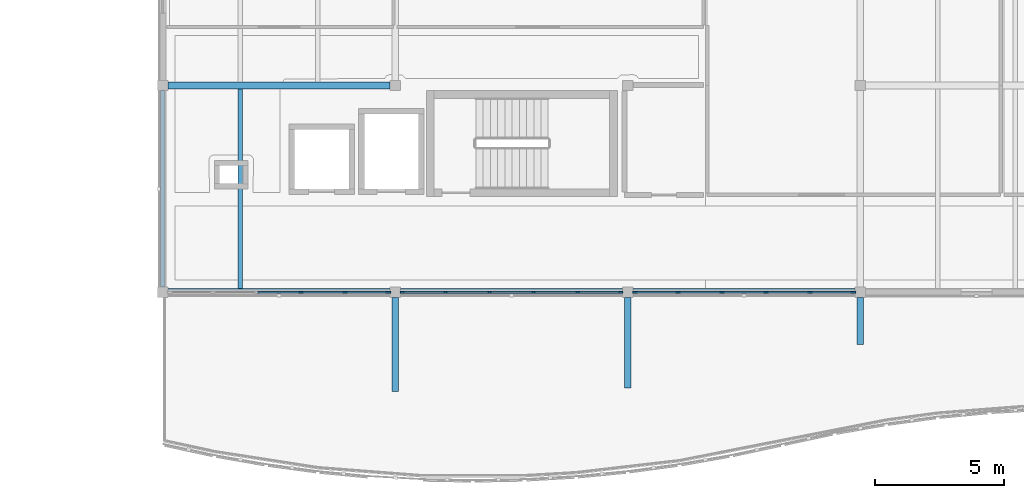
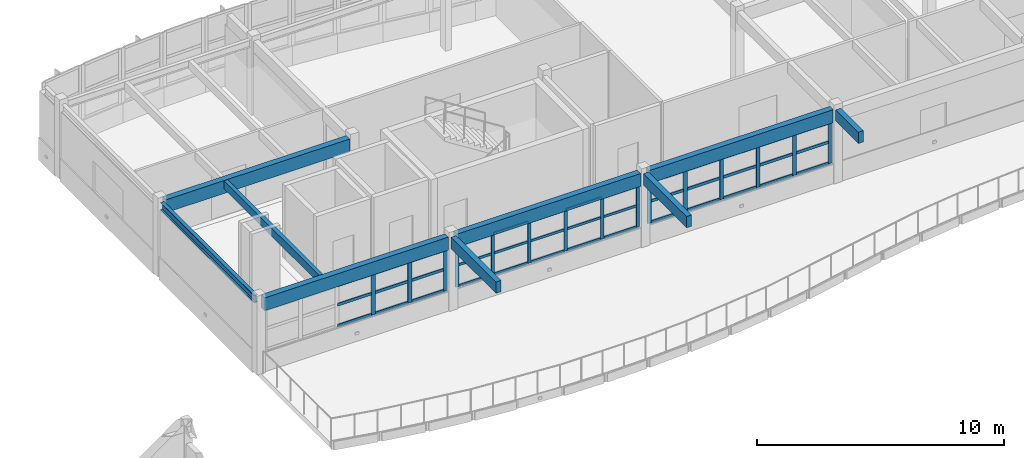
# One storey, part 9 of 52: 54 members, 9 beams, 3 elements without a shape of their own.
"""IFC4 building model written with IfcOpenShell, lengths in metres."""

from ifc_helpers import new_model, si_unit, direction, frame, origin, origin_2d, place, context, subcontext, project, spatial, rectangle, i_section, extrude, material, layer, layer_set, material_profile, profile_set, type_object, element, aggregate, save


model = new_model("IFC4")

# Units and contexts
model_context = context("Model", 3, precision=1e-05, world=origin(), true_north=direction((0.0, 1.0)))
body_context = subcontext(model_context, "Body", "Model", "MODEL_VIEW")
ifc_project = project(units=[si_unit("LENGTHUNIT", "METRE"), si_unit("AREAUNIT", "SQUARE_METRE"), si_unit("VOLUMEUNIT", "CUBIC_METRE"), si_unit("PLANEANGLEUNIT", "RADIAN"), si_unit("MASSUNIT", "GRAM", prefix="KILO")], contexts=[model_context])

# Site, building, storey
site_placement = place(None, origin())
site = spatial("IfcSite", under=ifc_project, at=site_placement, CompositionType="ELEMENT")
building_placement = place(site_placement, origin())
building = spatial("IfcBuilding", under=site, at=building_placement, Name="Tonlespit Floodbar School", CompositionType="ELEMENT")
storey_placement = place(building_placement, frame((0.0, 0.0, 12.300048828125)))
storey = spatial("IfcBuildingStorey", under=building, at=storey_placement, Name="L03", CompositionType="ELEMENT", Elevation=12.300048828125)

# Beams
ifc_material_1 = material(Name="Glulam GL28h", Category="wood")
ifc_material_profile_1 = material_profile(ifc_material_1, rectangle(XDim=0.239990234375, YDim=0.56005859375, at=origin_2d()), Name="GL 240x560")
ifc_profile_set_1 = profile_set([ifc_material_profile_1], Name="Glulam GL28h")
beam_type_1 = type_object("IfcBeamType", Name="Beam_GL_240x560", PredefinedType="BEAM", material=ifc_profile_set_1)
beam_1_placement = place(storey_placement, frame((53.0, 103.800048828125, 3.367919921875), z_axis=(0.0, -1.0, 0.0), x_axis=(1.0, 0.0, 0.0)))
element("IfcBeam", 1, at=beam_1_placement, inside=storey, type_object=beam_type_1, Name="L03 V1 curved gallery cantilever rib", PredefinedType="BEAM", context=body_context, shape_type="SweptSolid", body=[
    extrude(rectangle(XDim=0.239990234375, YDim=0.56005859375, at=origin_2d()), origin(), (0.0, 0.0, 1.0), 3.650146484375),
])
beam_2_placement = place(storey_placement, frame((62.0, 103.800048828125, 3.367919921875), z_axis=(0.0, -1.0, 0.0), x_axis=(1.0, 0.0, 0.0)))
element("IfcBeam", 2, at=beam_2_placement, inside=storey, type_object=beam_type_1, Name="L03 V1 curved gallery cantilever rib", PredefinedType="BEAM", context=body_context, shape_type="SweptSolid", body=[
    extrude(rectangle(XDim=0.239990234375, YDim=0.56005859375, at=origin_2d()), origin(), (0.0, 0.0, 1.0), 3.50634765625),
])
beam_3_placement = place(storey_placement, frame((71.0, 103.800048828125, 3.367919921875), z_axis=(0.0, -1.0, 0.0), x_axis=(1.0, 0.0, 0.0)))
element("IfcBeam", 3, at=beam_3_placement, inside=storey, type_object=beam_type_1, Name="L03 V1 curved gallery cantilever rib", PredefinedType="BEAM", context=body_context, shape_type="SweptSolid", body=[
    extrude(rectangle(XDim=0.239990234375, YDim=0.56005859375, at=origin_2d()), origin(), (0.0, 0.0, 1.0), 1.831298828125),
])
ifc_material_profile_2 = material_profile(ifc_material_1, rectangle(XDim=0.280029296875, YDim=0.639892578125, at=origin_2d()), Name="GL 280x640")
ifc_profile_set_2 = profile_set([ifc_material_profile_2], Name="Glulam GL28h")
beam_type_2 = type_object("IfcBeamType", Name="Beam_GL_280x640", PredefinedType="BEAM", material=ifc_profile_set_2)
for number, where, z_axis, x_axis, name in (
    (4, (44.199951171875, 104.0, 3.327880859375), (1.0, 0.0, 0.0), (0.0, 1.0, 0.0), "L03 girder 1167"),
    (5, (53.199951171875, 104.0, 3.327880859375), (1.0, 0.0, 0.0), (0.0, 1.0, 0.0), "L03 girder 1168"),
    (6, (62.199951171875, 104.0, 3.327880859375), (1.0, 0.0, 0.0), (0.0, 1.0, 0.0), "L03 girder 1169"),
    (7, (44.199951171875, 112.0, 3.329833984375), (1.0, 0.0, 0.0), (0.0, 1.0, 0.0), "L03 girder 1181"),
):
    element("IfcBeam", number, at=place(storey_placement, frame(where, z_axis=z_axis, x_axis=x_axis)), inside=storey, type_object=beam_type_2, Name=name, PredefinedType="BEAM", context=body_context, shape_type="SweptSolid", body=[
        extrude(rectangle(XDim=0.280029296875, YDim=0.639892578125, at=origin_2d()), origin(), (0.0, 0.0, 1.0), 8.60009765625),
    ])

# Curtain wall, members
ifc_material_2 = material(Name="Anodised Aluminium", Category="aluminium")
ifc_layer = layer(ifc_material_2, 0.159912109375)
ifc_layer_set = layer_set([ifc_layer], Name="Anodised Aluminium")
curtain_wall_type = type_object("IfcCurtainWallType", Name="CurtainWall_8500x2050", PredefinedType="NOTDEFINED", material=ifc_layer_set)
curtain_wall_1_placement = place(storey_placement, origin())
curtain_wall_1 = element("IfcCurtainWall", 8, at=curtain_wall_1_placement, inside=storey, type_object=curtain_wall_type, Name="L03 unitised curtain wall 0164", PredefinedType="NOTDEFINED")
ifc_material_profile_3 = material_profile(ifc_material_2, rectangle(XDim=0.06494140625, YDim=0.14990234375, at=origin_2d()), Name="ALU M65x150")
ifc_profile_set_3 = profile_set([ifc_material_profile_3], Name="Anodised Aluminium")
member_type_1 = type_object("IfcMemberType", Name="CW_Mullion_65x150", PredefinedType="MULLION", material=ifc_profile_set_3)
member_1_placement = place(storey_placement, frame((61.7275390625, 104.0, 0.949951171875), z_axis=(0.0, 0.0, 1.0), x_axis=(0.0, -1.0, 0.0)))
member_1 = element("IfcMember", 9, at=member_1_placement, type_object=member_type_1, Name="CW-07 mullion 1", PredefinedType="MULLION", context=body_context, shape_type="SweptSolid", body=[
    extrude(rectangle(XDim=0.06494140625, YDim=0.14990234375, at=origin_2d()), origin(), (0.0, 0.0, 1.0), 2.05810546875),
])
member_2_placement = place(storey_placement, frame((60.055908203125, 104.0, 0.949951171875), z_axis=(0.0, 0.0, 1.0), x_axis=(0.0, -1.0, 0.0)))
member_2 = element("IfcMember", 10, at=member_2_placement, type_object=member_type_1, Name="CW-07 mullion 2", PredefinedType="MULLION", context=body_context, shape_type="SweptSolid", body=[
    extrude(rectangle(XDim=0.06494140625, YDim=0.14990234375, at=origin_2d()), origin(), (0.0, 0.0, 1.0), 2.05810546875),
])
member_3_placement = place(storey_placement, frame((58.35205078125, 104.0, 0.949951171875), z_axis=(0.0, 0.0, 1.0), x_axis=(0.0, -1.0, 0.0)))
member_3 = element("IfcMember", 11, at=member_3_placement, type_object=member_type_1, Name="CW-07 mullion 3", PredefinedType="MULLION", context=body_context, shape_type="SweptSolid", body=[
    extrude(rectangle(XDim=0.06494140625, YDim=0.14990234375, at=origin_2d()), origin(), (0.0, 0.0, 1.0), 2.05810546875),
])
member_4_placement = place(storey_placement, frame((56.64794921875, 104.0, 0.949951171875), z_axis=(0.0, 0.0, 1.0), x_axis=(0.0, -1.0, 0.0)))
member_4 = element("IfcMember", 12, at=member_4_placement, type_object=member_type_1, Name="CW-07 mullion 4", PredefinedType="MULLION", context=body_context, shape_type="SweptSolid", body=[
    extrude(rectangle(XDim=0.06494140625, YDim=0.14990234375, at=origin_2d()), origin(), (0.0, 0.0, 1.0), 2.05810546875),
])
member_5_placement = place(storey_placement, frame((54.944091796875, 104.0, 0.949951171875), z_axis=(0.0, 0.0, 1.0), x_axis=(0.0, -1.0, 0.0)))
member_5 = element("IfcMember", 13, at=member_5_placement, type_object=member_type_1, Name="CW-07 mullion 5", PredefinedType="MULLION", context=body_context, shape_type="SweptSolid", body=[
    extrude(rectangle(XDim=0.06494140625, YDim=0.14990234375, at=origin_2d()), origin(), (0.0, 0.0, 1.0), 2.05810546875),
])
member_6_placement = place(storey_placement, frame((53.2724609375, 104.0, 0.949951171875), z_axis=(0.0, 0.0, 1.0), x_axis=(0.0, -1.0, 0.0)))
member_6 = element("IfcMember", 14, at=member_6_placement, type_object=member_type_1, Name="CW-07 mullion 6", PredefinedType="MULLION", context=body_context, shape_type="SweptSolid", body=[
    extrude(rectangle(XDim=0.06494140625, YDim=0.14990234375, at=origin_2d()), origin(), (0.0, 0.0, 1.0), 2.05810546875),
])

curtain_wall_2_placement = place(storey_placement, origin())
curtain_wall_2 = element("IfcCurtainWall", 15, at=curtain_wall_2_placement, inside=storey, type_object=curtain_wall_type, Name="L03 unitised curtain wall 0163", PredefinedType="NOTDEFINED")
ifc_material_profile_4 = material_profile(ifc_material_2, rectangle(XDim=0.06494140625, YDim=0.179931640625, at=origin_2d()), Name="ALU M65x180")
ifc_profile_set_4 = profile_set([ifc_material_profile_4], Name="Anodised Aluminium")
member_type_2 = type_object("IfcMemberType", Name="CW_Mullion_65x180", PredefinedType="MULLION", material=ifc_profile_set_4)
member_7_placement = place(storey_placement, frame((70.7275390625, 104.0, 0.949951171875), z_axis=(0.0, 0.0, 1.0), x_axis=(0.0, -1.0, 0.0)))
member_7 = element("IfcMember", 16, at=member_7_placement, type_object=member_type_2, Name="CW-07 mullion 1", PredefinedType="MULLION", context=body_context, shape_type="SweptSolid", body=[
    extrude(rectangle(XDim=0.06494140625, YDim=0.179931640625, at=origin_2d()), origin(), (0.0, 0.0, 1.0), 2.05810546875),
])
member_8_placement = place(storey_placement, frame((69.055908203125, 104.0, 0.949951171875), z_axis=(0.0, 0.0, 1.0), x_axis=(0.0, -1.0, 0.0)))
member_8 = element("IfcMember", 17, at=member_8_placement, type_object=member_type_2, Name="CW-07 mullion 2", PredefinedType="MULLION", context=body_context, shape_type="SweptSolid", body=[
    extrude(rectangle(XDim=0.06494140625, YDim=0.179931640625, at=origin_2d()), origin(), (0.0, 0.0, 1.0), 2.05810546875),
])
member_9_placement = place(storey_placement, frame((67.35205078125, 104.0, 0.949951171875), z_axis=(0.0, 0.0, 1.0), x_axis=(0.0, -1.0, 0.0)))
member_9 = element("IfcMember", 18, at=member_9_placement, type_object=member_type_2, Name="CW-07 mullion 3", PredefinedType="MULLION", context=body_context, shape_type="SweptSolid", body=[
    extrude(rectangle(XDim=0.06494140625, YDim=0.179931640625, at=origin_2d()), origin(), (0.0, 0.0, 1.0), 2.05810546875),
])
member_10_placement = place(storey_placement, frame((65.64794921875, 104.0, 0.949951171875), z_axis=(0.0, 0.0, 1.0), x_axis=(0.0, -1.0, 0.0)))
member_10 = element("IfcMember", 19, at=member_10_placement, type_object=member_type_2, Name="CW-07 mullion 4", PredefinedType="MULLION", context=body_context, shape_type="SweptSolid", body=[
    extrude(rectangle(XDim=0.06494140625, YDim=0.179931640625, at=origin_2d()), origin(), (0.0, 0.0, 1.0), 2.05810546875),
])
member_11_placement = place(storey_placement, frame((63.944091796875, 104.0, 0.949951171875), z_axis=(0.0, 0.0, 1.0), x_axis=(0.0, -1.0, 0.0)))
member_11 = element("IfcMember", 20, at=member_11_placement, type_object=member_type_2, Name="CW-07 mullion 5", PredefinedType="MULLION", context=body_context, shape_type="SweptSolid", body=[
    extrude(rectangle(XDim=0.06494140625, YDim=0.179931640625, at=origin_2d()), origin(), (0.0, 0.0, 1.0), 2.05810546875),
])
member_12_placement = place(storey_placement, frame((62.2724609375, 104.0, 0.949951171875), z_axis=(0.0, 0.0, 1.0), x_axis=(0.0, -1.0, 0.0)))
member_12 = element("IfcMember", 21, at=member_12_placement, type_object=member_type_2, Name="CW-07 mullion 6", PredefinedType="MULLION", context=body_context, shape_type="SweptSolid", body=[
    extrude(rectangle(XDim=0.06494140625, YDim=0.179931640625, at=origin_2d()), origin(), (0.0, 0.0, 1.0), 2.05810546875),
])

curtain_wall_3_placement = place(storey_placement, origin())
curtain_wall_3 = element("IfcCurtainWall", 22, at=curtain_wall_3_placement, inside=storey, type_object=curtain_wall_type, Name="L03 unitised curtain wall 0165", PredefinedType="NOTDEFINED")
member_13_placement = place(storey_placement, frame((52.7275390625, 104.0, 0.949951171875), z_axis=(0.0, 0.0, 1.0), x_axis=(0.0, -1.0, 0.0)))
member_13 = element("IfcMember", 23, at=member_13_placement, type_object=member_type_2, Name="CW-07 mullion 1", PredefinedType="MULLION", context=body_context, shape_type="SweptSolid", body=[
    extrude(rectangle(XDim=0.06494140625, YDim=0.179931640625, at=origin_2d()), origin(), (0.0, 0.0, 1.0), 2.05810546875),
])
member_14_placement = place(storey_placement, frame((51.055908203125, 104.0, 0.949951171875), z_axis=(0.0, 0.0, 1.0), x_axis=(0.0, -1.0, 0.0)))
member_14 = element("IfcMember", 24, at=member_14_placement, type_object=member_type_2, Name="CW-07 mullion 2", PredefinedType="MULLION", context=body_context, shape_type="SweptSolid", body=[
    extrude(rectangle(XDim=0.06494140625, YDim=0.179931640625, at=origin_2d()), origin(), (0.0, 0.0, 1.0), 2.05810546875),
])
member_15_placement = place(storey_placement, frame((49.35205078125, 104.0, 0.949951171875), z_axis=(0.0, 0.0, 1.0), x_axis=(0.0, -1.0, 0.0)))
member_15 = element("IfcMember", 25, at=member_15_placement, type_object=member_type_2, Name="CW-07 mullion 3", PredefinedType="MULLION", context=body_context, shape_type="SweptSolid", body=[
    extrude(rectangle(XDim=0.06494140625, YDim=0.179931640625, at=origin_2d()), origin(), (0.0, 0.0, 1.0), 2.05810546875),
])

# Member
ifc_material_profile_5 = material_profile(ifc_material_2, rectangle(XDim=0.06494140625, YDim=0.1201171875, at=origin_2d()), Name="ALU T65x120")
ifc_profile_set_5 = profile_set([ifc_material_profile_5], Name="Anodised Aluminium")
member_type_3 = type_object("IfcMemberType", Name="CW_Transom_65x120", PredefinedType="USERDEFINED", material=ifc_profile_set_5)
member_16_placement = place(storey_placement, frame((61.695068359375, 104.0, 0.982421875), z_axis=(-1.0, 0.0, 0.0), x_axis=(0.0, -1.0, 0.0)))
member_16 = element("IfcMember", 26, at=member_16_placement, type_object=member_type_3, Name="CW-07 transom 1.1", ObjectType="TRANSOM", PredefinedType="USERDEFINED", context=body_context, shape_type="SweptSolid", body=[
    extrude(rectangle(XDim=0.06494140625, YDim=0.1201171875, at=origin_2d()), origin(), (0.0, 0.0, 1.0), 1.606689453125),
])

member_17_placement = place(storey_placement, frame((61.695068359375, 104.0, 2.020263671875), z_axis=(-1.0, 0.0, 0.0), x_axis=(0.0, -1.0, 0.0)))
member_17 = element("IfcMember", 27, at=member_17_placement, type_object=member_type_3, Name="CW-07 transom 1.2", ObjectType="TRANSOM", PredefinedType="USERDEFINED", context=body_context, shape_type="SweptSolid", body=[
    extrude(rectangle(XDim=0.06494140625, YDim=0.1201171875, at=origin_2d()), origin(), (0.0, 0.0, 1.0), 1.606689453125),
])

member_18_placement = place(storey_placement, frame((61.695068359375, 104.0, 2.975341796875), z_axis=(-1.0, 0.0, 0.0), x_axis=(0.0, -1.0, 0.0)))
member_18 = element("IfcMember", 28, at=member_18_placement, type_object=member_type_3, Name="CW-07 transom 1.3", ObjectType="TRANSOM", PredefinedType="USERDEFINED", context=body_context, shape_type="SweptSolid", body=[
    extrude(rectangle(XDim=0.06494140625, YDim=0.1201171875, at=origin_2d()), origin(), (0.0, 0.0, 1.0), 1.606689453125),
])

member_19_placement = place(storey_placement, frame((60.0234375, 104.0, 0.982421875), z_axis=(-1.0, 0.0, 0.0), x_axis=(0.0, -1.0, 0.0)))
member_19 = element("IfcMember", 29, at=member_19_placement, type_object=member_type_3, Name="CW-07 transom 2.1", ObjectType="TRANSOM", PredefinedType="USERDEFINED", context=body_context, shape_type="SweptSolid", body=[
    extrude(rectangle(XDim=0.06494140625, YDim=0.1201171875, at=origin_2d()), origin(), (0.0, 0.0, 1.0), 1.638916015625),
])

member_20_placement = place(storey_placement, frame((60.0234375, 104.0, 2.020263671875), z_axis=(-1.0, 0.0, 0.0), x_axis=(0.0, -1.0, 0.0)))
member_20 = element("IfcMember", 30, at=member_20_placement, type_object=member_type_3, Name="CW-07 transom 2.2", ObjectType="TRANSOM", PredefinedType="USERDEFINED", context=body_context, shape_type="SweptSolid", body=[
    extrude(rectangle(XDim=0.06494140625, YDim=0.1201171875, at=origin_2d()), origin(), (0.0, 0.0, 1.0), 1.638916015625),
])

member_21_placement = place(storey_placement, frame((60.0234375, 104.0, 2.975341796875), z_axis=(-1.0, 0.0, 0.0), x_axis=(0.0, -1.0, 0.0)))
member_21 = element("IfcMember", 31, at=member_21_placement, type_object=member_type_3, Name="CW-07 transom 2.3", ObjectType="TRANSOM", PredefinedType="USERDEFINED", context=body_context, shape_type="SweptSolid", body=[
    extrude(rectangle(XDim=0.06494140625, YDim=0.1201171875, at=origin_2d()), origin(), (0.0, 0.0, 1.0), 1.638916015625),
])

member_22_placement = place(storey_placement, frame((58.319580078125, 104.0, 0.982421875), z_axis=(-1.0, 0.0, 0.0), x_axis=(0.0, -1.0, 0.0)))
member_22 = element("IfcMember", 32, at=member_22_placement, type_object=member_type_3, Name="CW-07 transom 3.1", ObjectType="TRANSOM", PredefinedType="USERDEFINED", context=body_context, shape_type="SweptSolid", body=[
    extrude(rectangle(XDim=0.06494140625, YDim=0.1201171875, at=origin_2d()), origin(), (0.0, 0.0, 1.0), 1.63916015625),
])

member_23_placement = place(storey_placement, frame((58.319580078125, 104.0, 2.020263671875), z_axis=(-1.0, 0.0, 0.0), x_axis=(0.0, -1.0, 0.0)))
member_23 = element("IfcMember", 33, at=member_23_placement, type_object=member_type_3, Name="CW-07 transom 3.2", ObjectType="TRANSOM", PredefinedType="USERDEFINED", context=body_context, shape_type="SweptSolid", body=[
    extrude(rectangle(XDim=0.06494140625, YDim=0.1201171875, at=origin_2d()), origin(), (0.0, 0.0, 1.0), 1.63916015625),
])

member_24_placement = place(storey_placement, frame((58.319580078125, 104.0, 2.975341796875), z_axis=(-1.0, 0.0, 0.0), x_axis=(0.0, -1.0, 0.0)))
member_24 = element("IfcMember", 34, at=member_24_placement, type_object=member_type_3, Name="CW-07 transom 3.3", ObjectType="TRANSOM", PredefinedType="USERDEFINED", context=body_context, shape_type="SweptSolid", body=[
    extrude(rectangle(XDim=0.06494140625, YDim=0.1201171875, at=origin_2d()), origin(), (0.0, 0.0, 1.0), 1.63916015625),
])

member_25_placement = place(storey_placement, frame((56.615478515625, 104.0, 0.982421875), z_axis=(-1.0, 0.0, 0.0), x_axis=(0.0, -1.0, 0.0)))
member_25 = element("IfcMember", 35, at=member_25_placement, type_object=member_type_3, Name="CW-07 transom 4.1", ObjectType="TRANSOM", PredefinedType="USERDEFINED", context=body_context, shape_type="SweptSolid", body=[
    extrude(rectangle(XDim=0.06494140625, YDim=0.1201171875, at=origin_2d()), origin(), (0.0, 0.0, 1.0), 1.638916015625),
])

member_26_placement = place(storey_placement, frame((56.615478515625, 104.0, 2.020263671875), z_axis=(-1.0, 0.0, 0.0), x_axis=(0.0, -1.0, 0.0)))
member_26 = element("IfcMember", 36, at=member_26_placement, type_object=member_type_3, Name="CW-07 transom 4.2", ObjectType="TRANSOM", PredefinedType="USERDEFINED", context=body_context, shape_type="SweptSolid", body=[
    extrude(rectangle(XDim=0.06494140625, YDim=0.1201171875, at=origin_2d()), origin(), (0.0, 0.0, 1.0), 1.638916015625),
])

member_27_placement = place(storey_placement, frame((56.615478515625, 104.0, 2.975341796875), z_axis=(-1.0, 0.0, 0.0), x_axis=(0.0, -1.0, 0.0)))
member_27 = element("IfcMember", 37, at=member_27_placement, type_object=member_type_3, Name="CW-07 transom 4.3", ObjectType="TRANSOM", PredefinedType="USERDEFINED", context=body_context, shape_type="SweptSolid", body=[
    extrude(rectangle(XDim=0.06494140625, YDim=0.1201171875, at=origin_2d()), origin(), (0.0, 0.0, 1.0), 1.638916015625),
])

member_28_placement = place(storey_placement, frame((54.91162109375, 104.0, 0.982421875), z_axis=(-1.0, 0.0, 0.0), x_axis=(0.0, -1.0, 0.0)))
member_28 = element("IfcMember", 38, at=member_28_placement, type_object=member_type_3, Name="CW-07 transom 5.1", ObjectType="TRANSOM", PredefinedType="USERDEFINED", context=body_context, shape_type="SweptSolid", body=[
    extrude(rectangle(XDim=0.06494140625, YDim=0.1201171875, at=origin_2d()), origin(), (0.0, 0.0, 1.0), 1.606689453125),
])

member_29_placement = place(storey_placement, frame((54.91162109375, 104.0, 2.020263671875), z_axis=(-1.0, 0.0, 0.0), x_axis=(0.0, -1.0, 0.0)))
member_29 = element("IfcMember", 39, at=member_29_placement, type_object=member_type_3, Name="CW-07 transom 5.2", ObjectType="TRANSOM", PredefinedType="USERDEFINED", context=body_context, shape_type="SweptSolid", body=[
    extrude(rectangle(XDim=0.06494140625, YDim=0.1201171875, at=origin_2d()), origin(), (0.0, 0.0, 1.0), 1.606689453125),
])

member_30_placement = place(storey_placement, frame((54.91162109375, 104.0, 2.975341796875), z_axis=(-1.0, 0.0, 0.0), x_axis=(0.0, -1.0, 0.0)))
member_30 = element("IfcMember", 40, at=member_30_placement, type_object=member_type_3, Name="CW-07 transom 5.3", ObjectType="TRANSOM", PredefinedType="USERDEFINED", context=body_context, shape_type="SweptSolid", body=[
    extrude(rectangle(XDim=0.06494140625, YDim=0.1201171875, at=origin_2d()), origin(), (0.0, 0.0, 1.0), 1.606689453125),
])

aggregate(curtain_wall_1, [member_1, member_2, member_3, member_4, member_5, member_6, member_16, member_17, member_18, member_19, member_20, member_21, member_22, member_23, member_24, member_25, member_26, member_27, member_28, member_29, member_30])

ifc_material_profile_6 = material_profile(ifc_material_2, rectangle(XDim=0.06494140625, YDim=0.139892578125, at=origin_2d()), Name="ALU T65x140")
ifc_profile_set_6 = profile_set([ifc_material_profile_6], Name="Anodised Aluminium")
member_type_4 = type_object("IfcMemberType", Name="CW_Transom_65x140", PredefinedType="USERDEFINED", material=ifc_profile_set_6)
member_31_placement = place(storey_placement, frame((70.695068359375, 104.0, 0.982421875), z_axis=(-1.0, 0.0, 0.0), x_axis=(0.0, -1.0, 0.0)))
member_31 = element("IfcMember", 41, at=member_31_placement, type_object=member_type_4, Name="CW-07 transom 1.1", ObjectType="TRANSOM", PredefinedType="USERDEFINED", context=body_context, shape_type="SweptSolid", body=[
    extrude(rectangle(XDim=0.06494140625, YDim=0.139892578125, at=origin_2d()), origin(), (0.0, 0.0, 1.0), 1.606689453125),
])

member_32_placement = place(storey_placement, frame((70.695068359375, 104.0, 2.020263671875), z_axis=(-1.0, 0.0, 0.0), x_axis=(0.0, -1.0, 0.0)))
member_32 = element("IfcMember", 42, at=member_32_placement, type_object=member_type_4, Name="CW-07 transom 1.2", ObjectType="TRANSOM", PredefinedType="USERDEFINED", context=body_context, shape_type="SweptSolid", body=[
    extrude(rectangle(XDim=0.06494140625, YDim=0.139892578125, at=origin_2d()), origin(), (0.0, 0.0, 1.0), 1.606689453125),
])

member_33_placement = place(storey_placement, frame((70.695068359375, 104.0, 2.975341796875), z_axis=(-1.0, 0.0, 0.0), x_axis=(0.0, -1.0, 0.0)))
member_33 = element("IfcMember", 43, at=member_33_placement, type_object=member_type_4, Name="CW-07 transom 1.3", ObjectType="TRANSOM", PredefinedType="USERDEFINED", context=body_context, shape_type="SweptSolid", body=[
    extrude(rectangle(XDim=0.06494140625, YDim=0.139892578125, at=origin_2d()), origin(), (0.0, 0.0, 1.0), 1.606689453125),
])

member_34_placement = place(storey_placement, frame((69.0234375, 104.0, 0.982421875), z_axis=(-1.0, 0.0, 0.0), x_axis=(0.0, -1.0, 0.0)))
member_34 = element("IfcMember", 44, at=member_34_placement, type_object=member_type_4, Name="CW-07 transom 2.1", ObjectType="TRANSOM", PredefinedType="USERDEFINED", context=body_context, shape_type="SweptSolid", body=[
    extrude(rectangle(XDim=0.06494140625, YDim=0.139892578125, at=origin_2d()), origin(), (0.0, 0.0, 1.0), 1.638916015625),
])

member_35_placement = place(storey_placement, frame((69.0234375, 104.0, 2.020263671875), z_axis=(-1.0, 0.0, 0.0), x_axis=(0.0, -1.0, 0.0)))
member_35 = element("IfcMember", 45, at=member_35_placement, type_object=member_type_4, Name="CW-07 transom 2.2", ObjectType="TRANSOM", PredefinedType="USERDEFINED", context=body_context, shape_type="SweptSolid", body=[
    extrude(rectangle(XDim=0.06494140625, YDim=0.139892578125, at=origin_2d()), origin(), (0.0, 0.0, 1.0), 1.638916015625),
])

member_36_placement = place(storey_placement, frame((69.0234375, 104.0, 2.975341796875), z_axis=(-1.0, 0.0, 0.0), x_axis=(0.0, -1.0, 0.0)))
member_36 = element("IfcMember", 46, at=member_36_placement, type_object=member_type_4, Name="CW-07 transom 2.3", ObjectType="TRANSOM", PredefinedType="USERDEFINED", context=body_context, shape_type="SweptSolid", body=[
    extrude(rectangle(XDim=0.06494140625, YDim=0.139892578125, at=origin_2d()), origin(), (0.0, 0.0, 1.0), 1.638916015625),
])

member_37_placement = place(storey_placement, frame((67.319580078125, 104.0, 0.982421875), z_axis=(-1.0, 0.0, 0.0), x_axis=(0.0, -1.0, 0.0)))
member_37 = element("IfcMember", 47, at=member_37_placement, type_object=member_type_4, Name="CW-07 transom 3.1", ObjectType="TRANSOM", PredefinedType="USERDEFINED", context=body_context, shape_type="SweptSolid", body=[
    extrude(rectangle(XDim=0.06494140625, YDim=0.139892578125, at=origin_2d()), origin(), (0.0, 0.0, 1.0), 1.63916015625),
])

member_38_placement = place(storey_placement, frame((67.319580078125, 104.0, 2.020263671875), z_axis=(-1.0, 0.0, 0.0), x_axis=(0.0, -1.0, 0.0)))
member_38 = element("IfcMember", 48, at=member_38_placement, type_object=member_type_4, Name="CW-07 transom 3.2", ObjectType="TRANSOM", PredefinedType="USERDEFINED", context=body_context, shape_type="SweptSolid", body=[
    extrude(rectangle(XDim=0.06494140625, YDim=0.139892578125, at=origin_2d()), origin(), (0.0, 0.0, 1.0), 1.63916015625),
])

member_39_placement = place(storey_placement, frame((67.319580078125, 104.0, 2.975341796875), z_axis=(-1.0, 0.0, 0.0), x_axis=(0.0, -1.0, 0.0)))
member_39 = element("IfcMember", 49, at=member_39_placement, type_object=member_type_4, Name="CW-07 transom 3.3", ObjectType="TRANSOM", PredefinedType="USERDEFINED", context=body_context, shape_type="SweptSolid", body=[
    extrude(rectangle(XDim=0.06494140625, YDim=0.139892578125, at=origin_2d()), origin(), (0.0, 0.0, 1.0), 1.63916015625),
])

member_40_placement = place(storey_placement, frame((65.615478515625, 104.0, 0.982421875), z_axis=(-1.0, 0.0, 0.0), x_axis=(0.0, -1.0, 0.0)))
member_40 = element("IfcMember", 50, at=member_40_placement, type_object=member_type_4, Name="CW-07 transom 4.1", ObjectType="TRANSOM", PredefinedType="USERDEFINED", context=body_context, shape_type="SweptSolid", body=[
    extrude(rectangle(XDim=0.06494140625, YDim=0.139892578125, at=origin_2d()), origin(), (0.0, 0.0, 1.0), 1.638916015625),
])

member_41_placement = place(storey_placement, frame((65.615478515625, 104.0, 2.020263671875), z_axis=(-1.0, 0.0, 0.0), x_axis=(0.0, -1.0, 0.0)))
member_41 = element("IfcMember", 51, at=member_41_placement, type_object=member_type_4, Name="CW-07 transom 4.2", ObjectType="TRANSOM", PredefinedType="USERDEFINED", context=body_context, shape_type="SweptSolid", body=[
    extrude(rectangle(XDim=0.06494140625, YDim=0.139892578125, at=origin_2d()), origin(), (0.0, 0.0, 1.0), 1.638916015625),
])

member_42_placement = place(storey_placement, frame((65.615478515625, 104.0, 2.975341796875), z_axis=(-1.0, 0.0, 0.0), x_axis=(0.0, -1.0, 0.0)))
member_42 = element("IfcMember", 52, at=member_42_placement, type_object=member_type_4, Name="CW-07 transom 4.3", ObjectType="TRANSOM", PredefinedType="USERDEFINED", context=body_context, shape_type="SweptSolid", body=[
    extrude(rectangle(XDim=0.06494140625, YDim=0.139892578125, at=origin_2d()), origin(), (0.0, 0.0, 1.0), 1.638916015625),
])

member_43_placement = place(storey_placement, frame((63.91162109375, 104.0, 0.982421875), z_axis=(-1.0, 0.0, 0.0), x_axis=(0.0, -1.0, 0.0)))
member_43 = element("IfcMember", 53, at=member_43_placement, type_object=member_type_4, Name="CW-07 transom 5.1", ObjectType="TRANSOM", PredefinedType="USERDEFINED", context=body_context, shape_type="SweptSolid", body=[
    extrude(rectangle(XDim=0.06494140625, YDim=0.139892578125, at=origin_2d()), origin(), (0.0, 0.0, 1.0), 1.606689453125),
])

member_44_placement = place(storey_placement, frame((63.91162109375, 104.0, 2.020263671875), z_axis=(-1.0, 0.0, 0.0), x_axis=(0.0, -1.0, 0.0)))
member_44 = element("IfcMember", 54, at=member_44_placement, type_object=member_type_4, Name="CW-07 transom 5.2", ObjectType="TRANSOM", PredefinedType="USERDEFINED", context=body_context, shape_type="SweptSolid", body=[
    extrude(rectangle(XDim=0.06494140625, YDim=0.139892578125, at=origin_2d()), origin(), (0.0, 0.0, 1.0), 1.606689453125),
])

member_45_placement = place(storey_placement, frame((63.91162109375, 104.0, 2.975341796875), z_axis=(-1.0, 0.0, 0.0), x_axis=(0.0, -1.0, 0.0)))
member_45 = element("IfcMember", 55, at=member_45_placement, type_object=member_type_4, Name="CW-07 transom 5.3", ObjectType="TRANSOM", PredefinedType="USERDEFINED", context=body_context, shape_type="SweptSolid", body=[
    extrude(rectangle(XDim=0.06494140625, YDim=0.139892578125, at=origin_2d()), origin(), (0.0, 0.0, 1.0), 1.606689453125),
])

aggregate(curtain_wall_2, [member_7, member_8, member_9, member_10, member_11, member_12, member_31, member_32, member_33, member_34, member_35, member_36, member_37, member_38, member_39, member_40, member_41, member_42, member_43, member_44, member_45])

member_46_placement = place(storey_placement, frame((52.695068359375, 104.0, 0.982421875), z_axis=(-1.0, 0.0, 0.0), x_axis=(0.0, -1.0, 0.0)))
member_46 = element("IfcMember", 56, at=member_46_placement, type_object=member_type_4, Name="CW-07 transom 1.1", ObjectType="TRANSOM", PredefinedType="USERDEFINED", context=body_context, shape_type="SweptSolid", body=[
    extrude(rectangle(XDim=0.06494140625, YDim=0.139892578125, at=origin_2d()), origin(), (0.0, 0.0, 1.0), 1.606689453125),
])

member_47_placement = place(storey_placement, frame((52.695068359375, 104.0, 2.020263671875), z_axis=(-1.0, 0.0, 0.0), x_axis=(0.0, -1.0, 0.0)))
member_47 = element("IfcMember", 57, at=member_47_placement, type_object=member_type_4, Name="CW-07 transom 1.2", ObjectType="TRANSOM", PredefinedType="USERDEFINED", context=body_context, shape_type="SweptSolid", body=[
    extrude(rectangle(XDim=0.06494140625, YDim=0.139892578125, at=origin_2d()), origin(), (0.0, 0.0, 1.0), 1.606689453125),
])

member_48_placement = place(storey_placement, frame((52.695068359375, 104.0, 2.975341796875), z_axis=(-1.0, 0.0, 0.0), x_axis=(0.0, -1.0, 0.0)))
member_48 = element("IfcMember", 58, at=member_48_placement, type_object=member_type_4, Name="CW-07 transom 1.3", ObjectType="TRANSOM", PredefinedType="USERDEFINED", context=body_context, shape_type="SweptSolid", body=[
    extrude(rectangle(XDim=0.06494140625, YDim=0.139892578125, at=origin_2d()), origin(), (0.0, 0.0, 1.0), 1.606689453125),
])

member_49_placement = place(storey_placement, frame((51.0234375, 104.0, 0.982421875), z_axis=(-1.0, 0.0, 0.0), x_axis=(0.0, -1.0, 0.0)))
member_49 = element("IfcMember", 59, at=member_49_placement, type_object=member_type_4, Name="CW-07 transom 2.1", ObjectType="TRANSOM", PredefinedType="USERDEFINED", context=body_context, shape_type="SweptSolid", body=[
    extrude(rectangle(XDim=0.06494140625, YDim=0.139892578125, at=origin_2d()), origin(), (0.0, 0.0, 1.0), 1.638916015625),
])

member_50_placement = place(storey_placement, frame((51.0234375, 104.0, 2.020263671875), z_axis=(-1.0, 0.0, 0.0), x_axis=(0.0, -1.0, 0.0)))
member_50 = element("IfcMember", 60, at=member_50_placement, type_object=member_type_4, Name="CW-07 transom 2.2", ObjectType="TRANSOM", PredefinedType="USERDEFINED", context=body_context, shape_type="SweptSolid", body=[
    extrude(rectangle(XDim=0.06494140625, YDim=0.139892578125, at=origin_2d()), origin(), (0.0, 0.0, 1.0), 1.638916015625),
])

member_51_placement = place(storey_placement, frame((51.0234375, 104.0, 2.975341796875), z_axis=(-1.0, 0.0, 0.0), x_axis=(0.0, -1.0, 0.0)))
member_51 = element("IfcMember", 61, at=member_51_placement, type_object=member_type_4, Name="CW-07 transom 2.3", ObjectType="TRANSOM", PredefinedType="USERDEFINED", context=body_context, shape_type="SweptSolid", body=[
    extrude(rectangle(XDim=0.06494140625, YDim=0.139892578125, at=origin_2d()), origin(), (0.0, 0.0, 1.0), 1.638916015625),
])

member_52_placement = place(storey_placement, frame((49.319580078125, 104.0, 0.982421875), z_axis=(-1.0, 0.0, 0.0), x_axis=(0.0, -1.0, 0.0)))
member_52 = element("IfcMember", 62, at=member_52_placement, type_object=member_type_4, Name="CW-07 transom 3.1", ObjectType="TRANSOM", PredefinedType="USERDEFINED", context=body_context, shape_type="SweptSolid", body=[
    extrude(rectangle(XDim=0.06494140625, YDim=0.139892578125, at=origin_2d()), origin(), (0.0, 0.0, 1.0), 1.63916015625),
])

member_53_placement = place(storey_placement, frame((49.319580078125, 104.0, 2.020263671875), z_axis=(-1.0, 0.0, 0.0), x_axis=(0.0, -1.0, 0.0)))
member_53 = element("IfcMember", 63, at=member_53_placement, type_object=member_type_4, Name="CW-07 transom 3.2", ObjectType="TRANSOM", PredefinedType="USERDEFINED", context=body_context, shape_type="SweptSolid", body=[
    extrude(rectangle(XDim=0.06494140625, YDim=0.139892578125, at=origin_2d()), origin(), (0.0, 0.0, 1.0), 1.63916015625),
])

member_54_placement = place(storey_placement, frame((49.319580078125, 104.0, 2.975341796875), z_axis=(-1.0, 0.0, 0.0), x_axis=(0.0, -1.0, 0.0)))
member_54 = element("IfcMember", 64, at=member_54_placement, type_object=member_type_4, Name="CW-07 transom 3.3", ObjectType="TRANSOM", PredefinedType="USERDEFINED", context=body_context, shape_type="SweptSolid", body=[
    extrude(rectangle(XDim=0.06494140625, YDim=0.139892578125, at=origin_2d()), origin(), (0.0, 0.0, 1.0), 1.63916015625),
])

aggregate(curtain_wall_3, [member_13, member_14, member_15, member_46, member_47, member_48, member_49, member_50, member_51, member_52, member_53, member_54])

# Beams
ifc_material_profile_7 = material_profile(ifc_material_1, rectangle(XDim=0.179931640625, YDim=0.39990234375, at=origin_2d()), Name="GL 180x400")
ifc_profile_set_7 = profile_set([ifc_material_profile_7], Name="Glulam GL28h")
beam_type_3 = type_object("IfcBeamType", Name="Joist_GL_180x400", PredefinedType="JOIST", material=ifc_profile_set_7)
beam_4_placement = place(storey_placement, frame((47.0, 104.139892578125, 3.447998046875), z_axis=(0.0, 1.0, 0.0), x_axis=(-1.0, 0.0, 0.0)))
element("IfcBeam", 65, at=beam_4_placement, inside=storey, type_object=beam_type_3, Name="L03 secondary joist 1248", PredefinedType="JOIST", context=body_context, shape_type="SweptSolid", body=[
    extrude(rectangle(XDim=0.179931640625, YDim=0.39990234375, at=origin_2d()), origin(), (0.0, 0.0, 1.0), 7.72021484375),
])
ifc_material_3 = material(Name="Steel S355", Category="steel")
ifc_material_profile_8 = material_profile(ifc_material_3, i_section(OverallWidth=0.169921875, OverallDepth=0.360107421875, WebThickness=0.008056640625, FlangeThickness=0.0126953125, at=origin_2d()), Name="IPE 360")
ifc_profile_set_8 = profile_set([ifc_material_profile_8], Name="Steel S355")
beam_type_4 = type_object("IfcBeamType", Name="Spandrel_STL_IPE360", PredefinedType="SPANDREL", material=ifc_profile_set_8)
beam_5_placement = place(storey_placement, frame((44.0, 104.199951171875, 3.469970703125), z_axis=(0.0, 1.0, 0.0), x_axis=(-1.0, 0.0, 0.0)))
element("IfcBeam", 66, at=beam_5_placement, inside=storey, type_object=beam_type_4, Name="L03 girder 1222", PredefinedType="SPANDREL", context=body_context, shape_type="SweptSolid", body=[
    extrude(i_section(OverallWidth=0.169921875, OverallDepth=0.360107421875, WebThickness=0.008056640625, FlangeThickness=0.0126953125, at=origin_2d()), origin(), (0.0, 0.0, 1.0), 7.60009765625),
])

save(model, "model.ifc")
